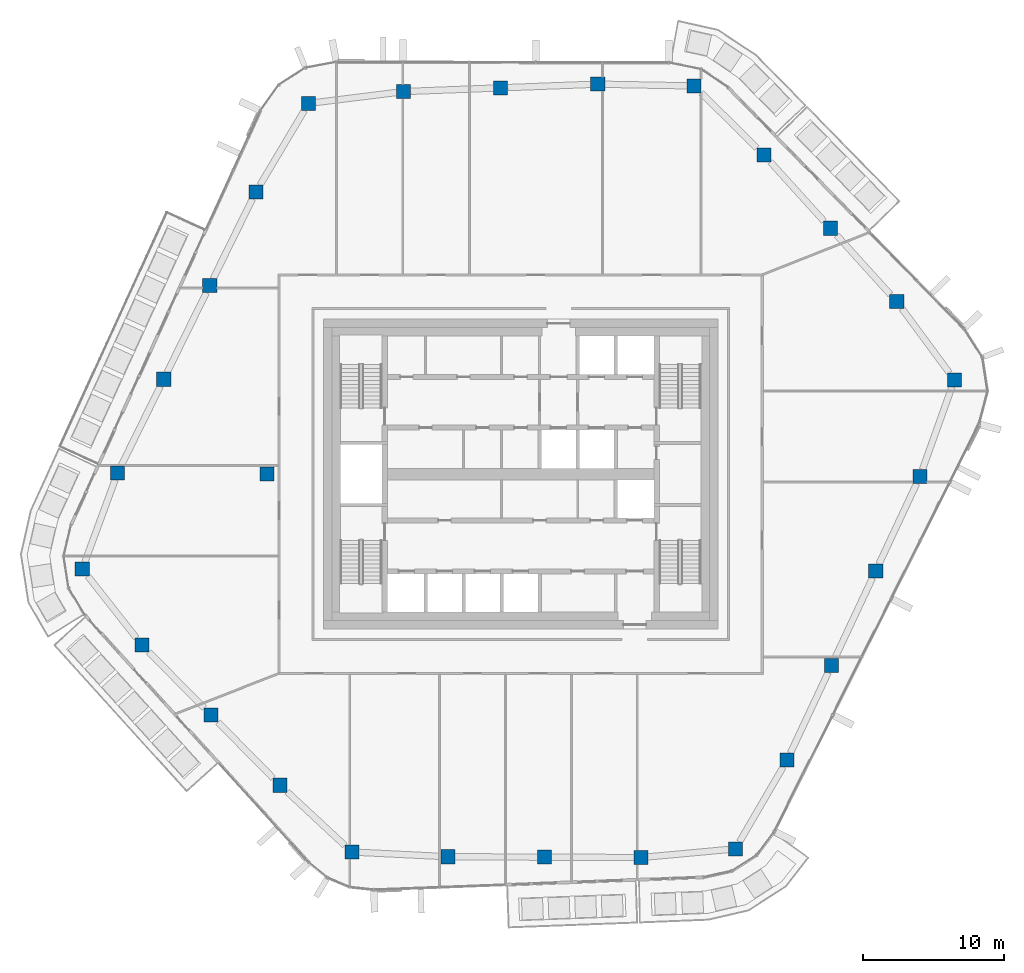
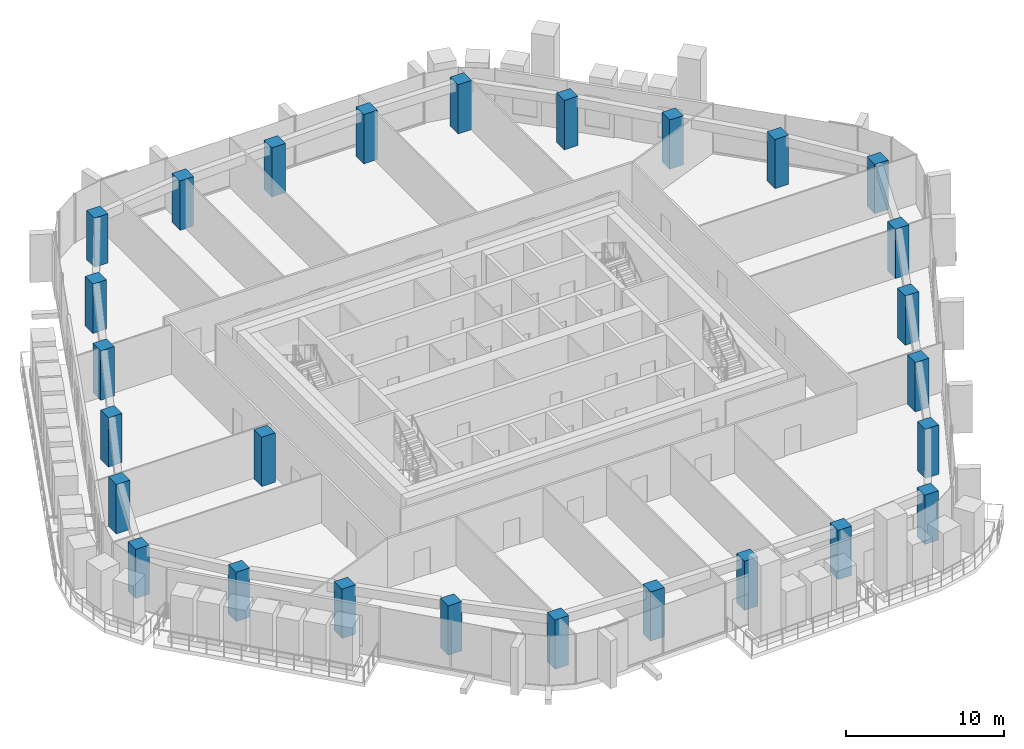
# One storey, part 1 of 23: 27 columns.
"""IFC4 building model written with IfcOpenShell, lengths in metres."""

from ifc_helpers import new_model, si_unit, direction, frame, origin, origin_2d, place, context, subcontext, project, spatial, rectangle, extrude, material, material_profile, profile_set, type_object, element, save


model = new_model("IFC4")

# Units and contexts
model_context = context("Model", 3, precision=1e-05, world=origin(), true_north=direction((0.0, 1.0)))
body_context = subcontext(model_context, "Body", "Model", "MODEL_VIEW")
ifc_project = project(units=[si_unit("LENGTHUNIT", "METRE"), si_unit("AREAUNIT", "SQUARE_METRE"), si_unit("VOLUMEUNIT", "CUBIC_METRE"), si_unit("PLANEANGLEUNIT", "RADIAN"), si_unit("MASSUNIT", "GRAM", prefix="KILO")], contexts=[model_context])

# Site, building, storey
site_placement = place(None, origin())
site = spatial("IfcSite", under=ifc_project, at=site_placement, CompositionType="ELEMENT")
building_placement = place(site_placement, origin())
building = spatial("IfcBuilding", under=site, at=building_placement, Name="Dongbaek Canopy Tower", CompositionType="ELEMENT")
storey_placement = place(building_placement, frame((0.0, 0.0, 315.199951171875)))
storey = spatial("IfcBuildingStorey", under=building, at=storey_placement, Name="L67", CompositionType="ELEMENT", Elevation=315.199951171875)

# Columns
ifc_material = material(Name="Concrete C60", Category="concrete")
ifc_material_profile = material_profile(ifc_material, rectangle(XDim=1.0, YDim=1.0, at=origin_2d()), Name="RC COLUMN 1000x1000 C60")
ifc_profile_set = profile_set([ifc_material_profile], Name="Concrete C60")
column_type = type_object("IfcColumnType", Name="RC COLUMN 1000x1000 C60", PredefinedType="COLUMN", material=ifc_profile_set)
for number, where, z_axis, x_axis, name in (
    (1, (15.251953125, -26.60693359375, 0.0), (0.0, 0.0, 1.0), (1.0, 0.0, 0.0), "COL:CZ5-01:L67"),
    (2, (8.533935546875, -27.22705078125, 0.0), (0.0, 0.0, 1.0), (1.0, 0.0, 0.0), "COL:CZ5-02:L67"),
    (3, (1.68310546875, -27.197021484375, 0.0), (0.0, 0.0, 1.0), (1.0, 0.0, 0.0), "COL:CZ5-03:L67"),
    (4, (-5.166015625, -27.1669921875, 0.0), (0.0, 0.0, 1.0), (1.0, 0.0, 0.0), "COL:CZ5-04:L67"),
    (5, (-11.985107421875, -26.8310546875, 0.0), (0.0, 0.0, 1.0), (1.0, 0.0, 0.0), "COL:CZ5-05:L67"),
    (6, (-17.083984375, -22.089111328125, 0.0), (0.0, 0.0, 1.0), (1.0, 0.0, 0.0), "COL:CZ5-06:L67"),
    (7, (-21.986083984375, -17.112060546875, 0.0), (0.0, 0.0, 1.0), (1.0, 0.0, 0.0), "COL:CZ5-07:L67"),
    (8, (-26.888916015625, -12.134033203125, 0.0), (0.0, 0.0, 1.0), (1.0, 0.0, 0.0), "COL:CZ5-08:L67"),
    (9, (-31.12890625, -6.7451171875, 0.0), (0.0, 0.0, 1.0), (1.0, 0.0, 0.0), "COL:CZ5-09:L67"),
    (10, (-28.616943359375, 0.0859375, 0.0), (0.0, 0.0, 1.0), (1.0, 0.0, 0.0), "COL:CZ5-10:L67"),
    (11, (-25.346923828125, 6.735107421875, 0.0), (0.0, 0.0, 1.0), (1.0, 0.0, 0.0), "COL:CZ5-11:L67"),
    (12, (-22.075927734375, 13.384033203125, 0.0), (0.0, 0.0, 1.0), (1.0, 0.0, 0.0), "COL:CZ5-12:L67"),
    (13, (-18.805908203125, 20.031982421875, 0.0), (0.0, 0.0, 1.0), (1.0, 0.0, 0.0), "COL:CZ5-13:L67"),
    (14, (-15.06201171875, 26.321044921875, 0.0), (0.0, 0.0, 1.0), (1.0, 0.0, 0.0), "COL:CZ5-14:L67"),
    (15, (-8.30908203125, 27.1640625, 0.0), (0.0, 0.0, 1.0), (1.0, 0.0, 0.0), "COL:CZ5-15:L67"),
    (16, (-1.41796875, 27.427978515625, 0.0), (0.0, 0.0, 1.0), (1.0, 0.0, 0.0), "COL:CZ5-16:L67"),
    (17, (5.470947265625, 27.69189453125, 0.0), (0.0, 0.0, 1.0), (1.0, 0.0, 0.0), "COL:CZ5-17:L67"),
    (18, (12.31396484375, 27.56298828125, 0.0), (0.0, 0.0, 1.0), (1.0, 0.0, 0.0), "COL:CZ5-18:L67"),
    (19, (17.27587890625, 22.666015625, 0.0), (0.0, 0.0, 1.0), (1.0, 0.0, 0.0), "COL:CZ5-19:L67"),
    (20, (21.989990234375, 17.4619140625, 0.0), (0.0, 0.0, 1.0), (1.0, 0.0, 0.0), "COL:CZ5-20:L67"),
    (21, (26.702880859375, 12.257080078125, 0.0), (0.0, 0.0, 1.0), (1.0, 0.0, 0.0), "COL:CZ5-21:L67"),
    (22, (30.804931640625, 6.697998046875, 0.0), (0.0, 0.0, 1.0), (1.0, 0.0, 0.0), "COL:CZ5-22:L67"),
    (23, (28.35107421875, -0.169921875, 0.0), (0.0, 0.0, 1.0), (1.0, 0.0, 0.0), "COL:CZ5-23:L67"),
    (24, (25.2099609375, -6.87890625, 0.0), (0.0, 0.0, 1.0), (1.0, 0.0, 0.0), "COL:CZ5-24:L67"),
    (25, (22.068115234375, -13.587890625, 0.0), (0.0, 0.0, 1.0), (1.0, 0.0, 0.0), "COL:CZ5-25:L67"),
    (26, (18.925048828125, -20.2958984375, 0.0), (0.0, 0.0, 1.0), (1.0, 0.0, 0.0), "COL:CZ5-26:L67"),
    (27, (-18.0, 0.0, 0.0), (0.0, 0.0, 1.0), (1.0, 0.0, 0.0), "COL:CIZ5-01:L67"),
):
    element("IfcColumn", number, at=place(storey_placement, frame(where, z_axis=z_axis, x_axis=x_axis)), inside=storey, type_object=column_type, Name=name, PredefinedType="COLUMN", context=body_context, shape_type="SweptSolid", body=[
        extrude(rectangle(XDim=1.0, YDim=1.0, at=origin_2d()), origin(), (0.0, 0.0, 1.0), 3.820068359375),
    ])

save(model, "model.ifc")
